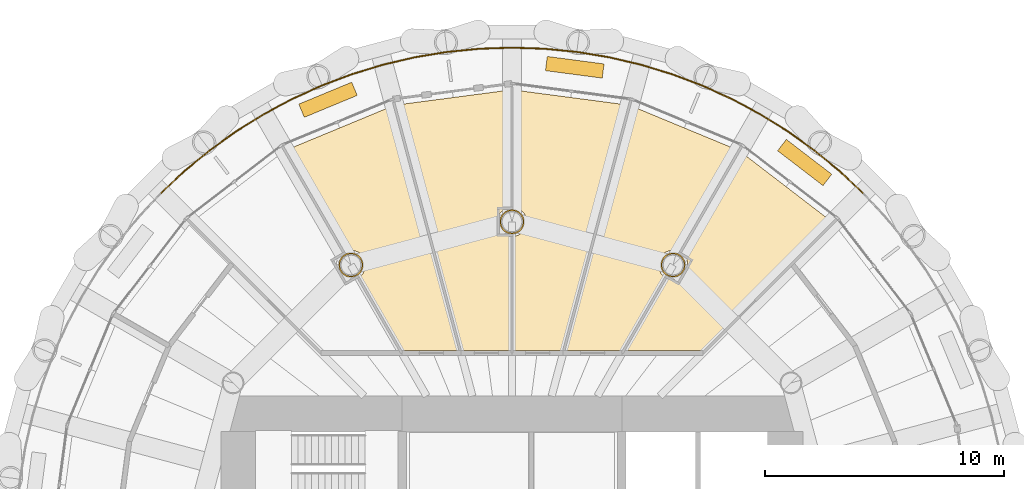
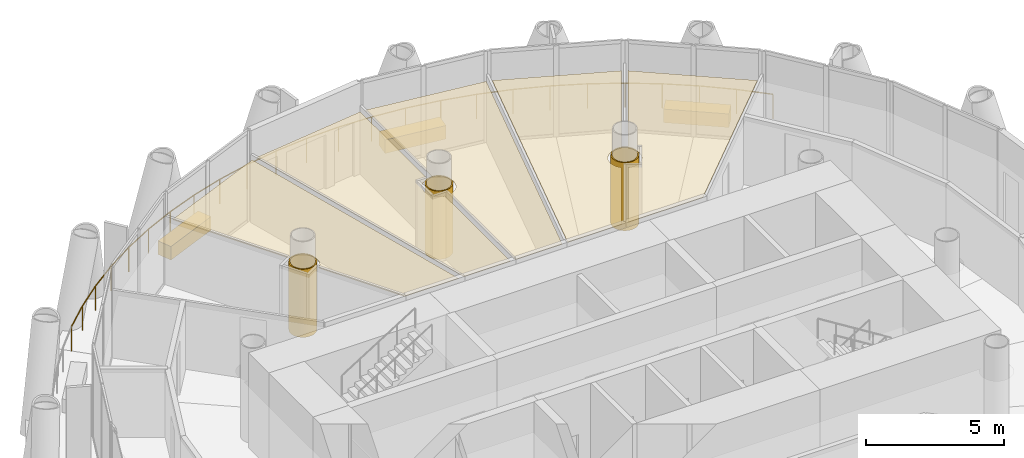
# One storey, part 15 of 15: 11 coverings, 1 railing.
"""IFC4 building model written with IfcOpenShell, lengths in metres."""

from ifc_helpers import new_model, si_unit, direction, frame, origin, origin_2d, place, context, subcontext, project, spatial, polyline, rectangle, circle, outline, extrude, material, layer, layer_set, type_object, element, save


model = new_model("IFC4")

# Units and contexts
model_context = context("Model", 3, precision=1e-05, world=origin(), true_north=direction((0.0, 1.0)))
body_context = subcontext(model_context, "Body", "Model", "MODEL_VIEW")
ifc_project = project(units=[si_unit("LENGTHUNIT", "METRE"), si_unit("AREAUNIT", "SQUARE_METRE"), si_unit("VOLUMEUNIT", "CUBIC_METRE"), si_unit("PLANEANGLEUNIT", "RADIAN"), si_unit("MASSUNIT", "GRAM", prefix="KILO")], contexts=[model_context])

# Site, building, storey
site_placement = place(None, origin())
site = spatial("IfcSite", under=ifc_project, at=site_placement, CompositionType="ELEMENT")
building_placement = place(site_placement, origin())
building = spatial("IfcBuilding", under=site, at=building_placement, Name="Qaws Media Tower", CompositionType="ELEMENT")
storey_placement = place(building_placement, frame((0.0, 0.0, 265.39990234375)))
storey = spatial("IfcBuildingStorey", under=building, at=storey_placement, Name="L61", CompositionType="ELEMENT", Elevation=265.39990234375)

# Railing
ifc_material_1 = material(Name="Stainless steel and glass guard", Category="steel")
railing_type = type_object("IfcRailingType", Name="Balcony guard 1100", PredefinedType="GUARDRAIL", material=ifc_material_1)
railing_placement = place(storey_placement, frame((74.707763671875, 64.707763671875, 0.0)))
element("IfcRailing", 1, at=railing_placement, inside=storey, type_object=railing_type, Name="GR1 balcony guard L61-1", PredefinedType="GUARDRAIL", context=body_context, shape_type="SweptSolid", body=[
    extrude(circle(Radius=0.02392578125, at=origin_2d()), frame((0.0, 0.0, 1.076171875), z_axis=(-0.72986714989, 0.683589016523, 0.0), x_axis=(-0.683589016523, -0.72986714989, 0.0)), (0.0, 0.0, 1.0), 1.361083984375),
    extrude(circle(Radius=0.02392578125, at=origin_2d()), frame((-0.993408203125, 0.930419921875, 1.076171875), z_axis=(-0.772949304948, 0.634467786401, 0.0), x_axis=(-0.634467786401, -0.772949304948, 0.0)), (0.0, 0.0, 1.0), 1.361083984375),
    extrude(circle(Radius=0.02392578125, at=origin_2d()), frame((-2.04541015625, 1.7939453125, 1.076171875), z_axis=(-0.812811466296, 0.582526840805, 0.0), x_axis=(-0.582526840805, -0.812811466296, 0.0)), (0.0, 0.0, 1.0), 1.361328125),
    extrude(circle(Radius=0.02392578125, at=origin_2d()), frame((-3.15185546875, 2.5869140625, 1.076171875), z_axis=(-0.849235333278, 0.528014534566, 0.0), x_axis=(-0.528014534566, -0.849235333278, 0.0)), (0.0, 0.0, 1.0), 1.361328125),
    extrude(circle(Radius=0.02392578125, at=origin_2d()), frame((-4.307861328125, 3.3056640625, 1.076171875), z_axis=(-0.881895663079, 0.471444630304, 0.0), x_axis=(-0.471444630304, -0.881895663079, 0.0)), (0.0, 0.0, 1.0), 1.36083984375),
    extrude(circle(Radius=0.02392578125, at=origin_2d()), frame((-5.508056640625, 3.947265625, 1.076171875), z_axis=(-0.910881687329, 0.41266760436, 0.0), x_axis=(-0.41266760436, -0.910881687329, 0.0)), (0.0, 0.0, 1.0), 1.361328125),
    extrude(circle(Radius=0.02392578125, at=origin_2d()), frame((-6.748046875, 4.509033203125, 1.076171875), z_axis=(-0.935937846462, 0.352165227641, 0.0), x_axis=(-0.352165227641, -0.935937846462, 0.0)), (0.0, 0.0, 1.0), 1.36083984375),
    extrude(circle(Radius=0.02392578125, at=origin_2d()), frame((-8.021728515625, 4.98828125, 1.076171875), z_axis=(-0.956908170849, 0.290390689523, 0.0), x_axis=(-0.290390689523, -0.956908170849, 0.0)), (0.0, 0.0, 1.0), 1.361083984375),
    extrude(circle(Radius=0.02392578125, at=origin_2d()), frame((-9.32421875, 5.383544921875, 1.076171875), z_axis=(-0.973880882877, 0.227059520759, 0.0), x_axis=(-0.227059520759, -0.973880882877, 0.0)), (0.0, 0.0, 1.0), 1.361328125),
    extrude(circle(Radius=0.02392578125, at=origin_2d()), frame((-10.64990234375, 5.692626953125, 1.076171875), z_axis=(-0.986649637864, 0.162857275255, 0.0), x_axis=(-0.162857275255, -0.986649637864, 0.0)), (0.0, 0.0, 1.0), 1.361083984375),
    extrude(circle(Radius=0.02392578125, at=origin_2d()), frame((-11.992919921875, 5.914306640625, 1.076171875), z_axis=(-0.995192253017, 0.09794069397, 0.0), x_axis=(-0.09794069397, -0.995192253017, 0.0)), (0.0, 0.0, 1.0), 1.361083984375),
    extrude(circle(Radius=0.02392578125, at=origin_2d()), frame((-13.347412109375, 6.047607421875, 1.076171875), z_axis=(-0.999461111639, 0.032825086761, 0.0), x_axis=(-0.032825086761, -0.999461111639, 0.0)), (0.0, 0.0, 1.0), 1.361083984375),
    extrude(circle(Radius=0.02392578125, at=origin_2d()), frame((-14.707763671875, 6.09228515625, 1.076171875), z_axis=(-0.999461111639, -0.032825086761, 0.0), x_axis=(0.032825086761, -0.999461111639, 0.0)), (0.0, 0.0, 1.0), 1.361083984375),
    extrude(circle(Radius=0.02392578125, at=origin_2d()), frame((-16.068115234375, 6.047607421875, 1.076171875), z_axis=(-0.995192253017, -0.09794069397, 0.0), x_axis=(0.09794069397, -0.995192253017, 0.0)), (0.0, 0.0, 1.0), 1.361083984375),
    extrude(circle(Radius=0.02392578125, at=origin_2d()), frame((-17.422607421875, 5.914306640625, 1.076171875), z_axis=(-0.986649637864, -0.162857275255, 0.0), x_axis=(0.162857275255, -0.986649637864, 0.0)), (0.0, 0.0, 1.0), 1.361083984375),
    extrude(circle(Radius=0.02392578125, at=origin_2d()), frame((-18.765625, 5.692626953125, 1.076171875), z_axis=(-0.973880882877, -0.227059520759, 0.0), x_axis=(0.227059520759, -0.973880882877, 0.0)), (0.0, 0.0, 1.0), 1.361328125),
    extrude(circle(Radius=0.02392578125, at=origin_2d()), frame((-20.09130859375, 5.383544921875, 1.076171875), z_axis=(-0.956908170849, -0.290390689523, 0.0), x_axis=(0.290390689523, -0.956908170849, 0.0)), (0.0, 0.0, 1.0), 1.361083984375),
    extrude(circle(Radius=0.02392578125, at=origin_2d()), frame((-21.393798828125, 4.98828125, 1.076171875), z_axis=(-0.935937846462, -0.352165227641, 0.0), x_axis=(0.352165227641, -0.935937846462, 0.0)), (0.0, 0.0, 1.0), 1.36083984375),
    extrude(circle(Radius=0.02392578125, at=origin_2d()), frame((-22.66748046875, 4.509033203125, 1.076171875), z_axis=(-0.910881687329, -0.41266760436, 0.0), x_axis=(0.41266760436, -0.910881687329, 0.0)), (0.0, 0.0, 1.0), 1.361328125),
    extrude(circle(Radius=0.02392578125, at=origin_2d()), frame((-23.907470703125, 3.947265625, 1.076171875), z_axis=(-0.881895663079, -0.471444630304, 0.0), x_axis=(0.471444630304, -0.881895663079, 0.0)), (0.0, 0.0, 1.0), 1.36083984375),
    extrude(circle(Radius=0.02392578125, at=origin_2d()), frame((-25.107666015625, 3.3056640625, 1.076171875), z_axis=(-0.849235333278, -0.528014534566, 0.0), x_axis=(0.528014534566, -0.849235333278, 0.0)), (0.0, 0.0, 1.0), 1.361328125),
    extrude(circle(Radius=0.02392578125, at=origin_2d()), frame((-26.263671875, 2.5869140625, 1.076171875), z_axis=(-0.812811466296, -0.582526840805, 0.0), x_axis=(0.582526840805, -0.812811466296, 0.0)), (0.0, 0.0, 1.0), 1.361328125),
    extrude(circle(Radius=0.02392578125, at=origin_2d()), frame((-27.3701171875, 1.7939453125, 1.076171875), z_axis=(-0.772949304948, -0.634467786401, 0.0), x_axis=(0.634467786401, -0.772949304948, 0.0)), (0.0, 0.0, 1.0), 1.361083984375),
    extrude(circle(Radius=0.02392578125, at=origin_2d()), frame((-28.422119140625, 0.930419921875, 1.076171875), z_axis=(-0.72986714989, -0.683589016523, 0.0), x_axis=(0.683589016523, -0.72986714989, 0.0)), (0.0, 0.0, 1.0), 1.361083984375),
    extrude(circle(Radius=0.02099609375, at=origin_2d()), origin(), (0.0, 0.0, 1.0), 1.052001953125),
    extrude(circle(Radius=0.02099609375, at=origin_2d()), frame((-0.993408203125, 0.930419921875, 0.0)), (0.0, 0.0, 1.0), 1.052001953125),
    extrude(circle(Radius=0.02099609375, at=origin_2d()), frame((-2.04541015625, 1.7939453125, 0.0)), (0.0, 0.0, 1.0), 1.052001953125),
    extrude(circle(Radius=0.02099609375, at=origin_2d()), frame((-3.15185546875, 2.5869140625, 0.0)), (0.0, 0.0, 1.0), 1.052001953125),
    extrude(circle(Radius=0.02099609375, at=origin_2d()), frame((-4.307861328125, 3.3056640625, 0.0)), (0.0, 0.0, 1.0), 1.052001953125),
    extrude(circle(Radius=0.02099609375, at=origin_2d()), frame((-5.508056640625, 3.947265625, 0.0)), (0.0, 0.0, 1.0), 1.052001953125),
    extrude(circle(Radius=0.02099609375, at=origin_2d()), frame((-6.748046875, 4.509033203125, 0.0)), (0.0, 0.0, 1.0), 1.052001953125),
    extrude(circle(Radius=0.02099609375, at=origin_2d()), frame((-8.021728515625, 4.98828125, 0.0)), (0.0, 0.0, 1.0), 1.052001953125),
    extrude(circle(Radius=0.02099609375, at=origin_2d()), frame((-9.32421875, 5.383544921875, 0.0)), (0.0, 0.0, 1.0), 1.052001953125),
    extrude(circle(Radius=0.02099609375, at=origin_2d()), frame((-10.64990234375, 5.692626953125, 0.0)), (0.0, 0.0, 1.0), 1.052001953125),
    extrude(circle(Radius=0.02099609375, at=origin_2d()), frame((-11.992919921875, 5.914306640625, 0.0)), (0.0, 0.0, 1.0), 1.052001953125),
    extrude(circle(Radius=0.02099609375, at=origin_2d()), frame((-13.347412109375, 6.047607421875, 0.0)), (0.0, 0.0, 1.0), 1.052001953125),
    extrude(circle(Radius=0.02099609375, at=origin_2d()), frame((-14.707763671875, 6.09228515625, 0.0)), (0.0, 0.0, 1.0), 1.052001953125),
    extrude(circle(Radius=0.02099609375, at=origin_2d()), frame((-16.068115234375, 6.047607421875, 0.0)), (0.0, 0.0, 1.0), 1.052001953125),
    extrude(circle(Radius=0.02099609375, at=origin_2d()), frame((-17.422607421875, 5.914306640625, 0.0)), (0.0, 0.0, 1.0), 1.052001953125),
    extrude(circle(Radius=0.02099609375, at=origin_2d()), frame((-18.765625, 5.692626953125, 0.0)), (0.0, 0.0, 1.0), 1.052001953125),
    extrude(circle(Radius=0.02099609375, at=origin_2d()), frame((-20.09130859375, 5.383544921875, 0.0)), (0.0, 0.0, 1.0), 1.052001953125),
    extrude(circle(Radius=0.02099609375, at=origin_2d()), frame((-21.393798828125, 4.98828125, 0.0)), (0.0, 0.0, 1.0), 1.052001953125),
    extrude(circle(Radius=0.02099609375, at=origin_2d()), frame((-22.66748046875, 4.509033203125, 0.0)), (0.0, 0.0, 1.0), 1.052001953125),
    extrude(circle(Radius=0.02099609375, at=origin_2d()), frame((-23.907470703125, 3.947265625, 0.0)), (0.0, 0.0, 1.0), 1.052001953125),
    extrude(circle(Radius=0.02099609375, at=origin_2d()), frame((-25.107666015625, 3.3056640625, 0.0)), (0.0, 0.0, 1.0), 1.052001953125),
    extrude(circle(Radius=0.02099609375, at=origin_2d()), frame((-26.263671875, 2.5869140625, 0.0)), (0.0, 0.0, 1.0), 1.052001953125),
    extrude(circle(Radius=0.02099609375, at=origin_2d()), frame((-27.3701171875, 1.7939453125, 0.0)), (0.0, 0.0, 1.0), 1.052001953125),
    extrude(circle(Radius=0.02099609375, at=origin_2d()), frame((-28.422119140625, 0.930419921875, 0.0)), (0.0, 0.0, 1.0), 1.052001953125),
    extrude(circle(Radius=0.02099609375, at=origin_2d()), frame((-29.41552734375, 0.0, 0.0)), (0.0, 0.0, 1.0), 1.052001953125),
])

# Coverings
ifc_material_2 = material(Name="Two layers 15 fire-rated gypsum board on steel framing", Category="steel")
ifc_layer_1 = layer(ifc_material_2, 0.050048828125)
ifc_layer_set_1 = layer_set([ifc_layer_1], Name="Column fire casing")
covering_type_1 = type_object("IfcCoveringType", Name="Column fire casing", PredefinedType="CLADDING", material=ifc_layer_set_1)
covering_1_placement = place(storey_placement, origin())
element("IfcCovering", 2, at=covering_1_placement, inside=storey, type_object=covering_type_1, Name="CC1 column casing L61", PredefinedType="CLADDING", context=body_context, shape_type="SweptSolid", body=[
    extrude(outline(polyline([(67.261962890625, 61.69140625), (67.257568359375, 61.62451171875), (67.24462890625, 61.558837890625), (67.222900390625, 61.495361328125), (67.193359375, 61.435302734375), (67.15625, 61.379638671875), (67.112060546875, 61.329345703125), (67.061767578125, 61.28515625), (67.006103515625, 61.247802734375), (66.94580078125, 61.21826171875), (66.882568359375, 61.19677734375), (66.81689453125, 61.18359375), (66.75, 61.17919921875), (66.68310546875, 61.18359375), (66.617431640625, 61.19677734375), (66.55419921875, 61.21826171875), (66.493896484375, 61.247802734375), (66.438232421875, 61.28515625), (66.387939453125, 61.329345703125), (66.34375, 61.379638671875), (66.306640625, 61.435302734375), (66.277099609375, 61.495361328125), (66.25537109375, 61.558837890625), (66.242431640625, 61.62451171875), (66.238037109375, 61.69140625), (66.242431640625, 61.75830078125), (66.25537109375, 61.823974609375), (66.277099609375, 61.88720703125), (66.306640625, 61.947265625), (66.34375, 62.0029296875), (66.387939453125, 62.053466796875), (66.438232421875, 62.097412109375), (66.493896484375, 62.134765625), (66.55419921875, 62.164306640625), (66.617431640625, 62.185791015625), (66.68310546875, 62.198974609375), (66.75, 62.203369140625), (66.81689453125, 62.198974609375), (66.882568359375, 62.185791015625), (66.94580078125, 62.164306640625), (67.006103515625, 62.134765625), (67.061767578125, 62.097412109375), (67.112060546875, 62.053466796875), (67.15625, 62.0029296875), (67.193359375, 61.947265625), (67.222900390625, 61.88720703125), (67.24462890625, 61.823974609375), (67.257568359375, 61.75830078125), (67.261962890625, 61.69140625)]), holes=[polyline([(67.2099609375, 61.69140625), (67.2060546875, 61.63134765625), (67.1943359375, 61.572265625), (67.175048828125, 61.515380859375), (67.1484375, 61.461181640625), (67.114990234375, 61.411376953125), (67.0751953125, 61.3662109375), (67.030029296875, 61.326416015625), (66.97998046875, 61.29296875), (66.926025390625, 61.266357421875), (66.869140625, 61.2470703125), (66.81005859375, 61.2353515625), (66.75, 61.231201171875), (66.68994140625, 61.2353515625), (66.630859375, 61.2470703125), (66.573974609375, 61.266357421875), (66.52001953125, 61.29296875), (66.469970703125, 61.326416015625), (66.4248046875, 61.3662109375), (66.385009765625, 61.411376953125), (66.3515625, 61.461181640625), (66.324951171875, 61.515380859375), (66.3056640625, 61.572265625), (66.2939453125, 61.63134765625), (66.2900390625, 61.69140625), (66.2939453125, 61.75146484375), (66.3056640625, 61.810302734375), (66.324951171875, 61.867431640625), (66.3515625, 61.92138671875), (66.385009765625, 61.971435546875), (66.4248046875, 62.0166015625), (66.469970703125, 62.056396484375), (66.52001953125, 62.089599609375), (66.573974609375, 62.1162109375), (66.630859375, 62.1357421875), (66.68994140625, 62.1474609375), (66.75, 62.1513671875), (66.81005859375, 62.1474609375), (66.869140625, 62.1357421875), (66.926025390625, 62.1162109375), (66.97998046875, 62.089599609375), (67.030029296875, 62.056396484375), (67.0751953125, 62.0166015625), (67.114990234375, 61.971435546875), (67.1484375, 61.92138671875), (67.175048828125, 61.867431640625), (67.1943359375, 61.810302734375), (67.2060546875, 61.75146484375), (67.2099609375, 61.69140625)])]), origin(), (0.0, 0.0, 1.0), 3.02001953125),
])
covering_2_placement = place(storey_placement, origin())
element("IfcCovering", 3, at=covering_2_placement, inside=storey, type_object=covering_type_1, Name="CC1 column casing L61", PredefinedType="CLADDING", context=body_context, shape_type="SweptSolid", body=[
    extrude(outline(polyline([(60.511962890625, 63.5), (60.507568359375, 63.43310546875), (60.49462890625, 63.367431640625), (60.472900390625, 63.30419921875), (60.443359375, 63.243896484375), (60.40625, 63.188232421875), (60.362060546875, 63.137939453125), (60.311767578125, 63.09375), (60.256103515625, 63.056640625), (60.19580078125, 63.027099609375), (60.132568359375, 63.00537109375), (60.06689453125, 62.992431640625), (60.0, 62.988037109375), (59.93310546875, 62.992431640625), (59.867431640625, 63.00537109375), (59.80419921875, 63.027099609375), (59.743896484375, 63.056640625), (59.688232421875, 63.09375), (59.637939453125, 63.137939453125), (59.59375, 63.188232421875), (59.556640625, 63.243896484375), (59.527099609375, 63.30419921875), (59.50537109375, 63.367431640625), (59.492431640625, 63.43310546875), (59.488037109375, 63.5), (59.492431640625, 63.56689453125), (59.50537109375, 63.632568359375), (59.527099609375, 63.69580078125), (59.556640625, 63.756103515625), (59.59375, 63.811767578125), (59.637939453125, 63.862060546875), (59.688232421875, 63.90625), (59.743896484375, 63.943359375), (59.80419921875, 63.972900390625), (59.867431640625, 63.99462890625), (59.93310546875, 64.007568359375), (60.0, 64.011962890625), (60.06689453125, 64.007568359375), (60.132568359375, 63.99462890625), (60.19580078125, 63.972900390625), (60.256103515625, 63.943359375), (60.311767578125, 63.90625), (60.362060546875, 63.862060546875), (60.40625, 63.811767578125), (60.443359375, 63.756103515625), (60.472900390625, 63.69580078125), (60.49462890625, 63.632568359375), (60.507568359375, 63.56689453125), (60.511962890625, 63.5)]), holes=[polyline([(60.4599609375, 63.5), (60.4560546875, 63.43994140625), (60.4443359375, 63.380859375), (60.425048828125, 63.323974609375), (60.3984375, 63.27001953125), (60.364990234375, 63.219970703125), (60.3251953125, 63.1748046875), (60.280029296875, 63.135009765625), (60.22998046875, 63.1015625), (60.176025390625, 63.074951171875), (60.119140625, 63.0556640625), (60.06005859375, 63.0439453125), (60.0, 63.0400390625), (59.93994140625, 63.0439453125), (59.880859375, 63.0556640625), (59.823974609375, 63.074951171875), (59.77001953125, 63.1015625), (59.719970703125, 63.135009765625), (59.6748046875, 63.1748046875), (59.635009765625, 63.219970703125), (59.6015625, 63.27001953125), (59.574951171875, 63.323974609375), (59.5556640625, 63.380859375), (59.5439453125, 63.43994140625), (59.5400390625, 63.5), (59.5439453125, 63.56005859375), (59.5556640625, 63.619140625), (59.574951171875, 63.676025390625), (59.6015625, 63.72998046875), (59.635009765625, 63.780029296875), (59.6748046875, 63.8251953125), (59.719970703125, 63.864990234375), (59.77001953125, 63.8984375), (59.823974609375, 63.925048828125), (59.880859375, 63.9443359375), (59.93994140625, 63.9560546875), (60.0, 63.9599609375), (60.06005859375, 63.9560546875), (60.119140625, 63.9443359375), (60.176025390625, 63.925048828125), (60.22998046875, 63.8984375), (60.280029296875, 63.864990234375), (60.3251953125, 63.8251953125), (60.364990234375, 63.780029296875), (60.3984375, 63.72998046875), (60.425048828125, 63.676025390625), (60.4443359375, 63.619140625), (60.4560546875, 63.56005859375), (60.4599609375, 63.5)])]), origin(), (0.0, 0.0, 1.0), 3.02001953125),
])
covering_3_placement = place(storey_placement, origin())
element("IfcCovering", 4, at=covering_3_placement, inside=storey, type_object=covering_type_1, Name="CC1 column casing L61", PredefinedType="CLADDING", context=body_context, shape_type="SweptSolid", body=[
    extrude(outline(polyline([(53.761962890625, 61.69140625), (53.757568359375, 61.62451171875), (53.74462890625, 61.558837890625), (53.722900390625, 61.495361328125), (53.693359375, 61.435302734375), (53.65625, 61.379638671875), (53.612060546875, 61.329345703125), (53.561767578125, 61.28515625), (53.506103515625, 61.247802734375), (53.44580078125, 61.21826171875), (53.382568359375, 61.19677734375), (53.31689453125, 61.18359375), (53.25, 61.17919921875), (53.18310546875, 61.18359375), (53.117431640625, 61.19677734375), (53.05419921875, 61.21826171875), (52.993896484375, 61.247802734375), (52.938232421875, 61.28515625), (52.887939453125, 61.329345703125), (52.84375, 61.379638671875), (52.806640625, 61.435302734375), (52.777099609375, 61.495361328125), (52.75537109375, 61.558837890625), (52.742431640625, 61.62451171875), (52.738037109375, 61.69140625), (52.742431640625, 61.75830078125), (52.75537109375, 61.823974609375), (52.777099609375, 61.88720703125), (52.806640625, 61.947265625), (52.84375, 62.0029296875), (52.887939453125, 62.053466796875), (52.938232421875, 62.097412109375), (52.993896484375, 62.134765625), (53.05419921875, 62.164306640625), (53.117431640625, 62.185791015625), (53.18310546875, 62.198974609375), (53.25, 62.203369140625), (53.31689453125, 62.198974609375), (53.382568359375, 62.185791015625), (53.44580078125, 62.164306640625), (53.506103515625, 62.134765625), (53.561767578125, 62.097412109375), (53.612060546875, 62.053466796875), (53.65625, 62.0029296875), (53.693359375, 61.947265625), (53.722900390625, 61.88720703125), (53.74462890625, 61.823974609375), (53.757568359375, 61.75830078125), (53.761962890625, 61.69140625)]), holes=[polyline([(53.7099609375, 61.69140625), (53.7060546875, 61.63134765625), (53.6943359375, 61.572265625), (53.675048828125, 61.515380859375), (53.6484375, 61.461181640625), (53.614990234375, 61.411376953125), (53.5751953125, 61.3662109375), (53.530029296875, 61.326416015625), (53.47998046875, 61.29296875), (53.426025390625, 61.266357421875), (53.369140625, 61.2470703125), (53.31005859375, 61.2353515625), (53.25, 61.231201171875), (53.18994140625, 61.2353515625), (53.130859375, 61.2470703125), (53.073974609375, 61.266357421875), (53.02001953125, 61.29296875), (52.969970703125, 61.326416015625), (52.9248046875, 61.3662109375), (52.885009765625, 61.411376953125), (52.8515625, 61.461181640625), (52.824951171875, 61.515380859375), (52.8056640625, 61.572265625), (52.7939453125, 61.63134765625), (52.7900390625, 61.69140625), (52.7939453125, 61.75146484375), (52.8056640625, 61.810302734375), (52.824951171875, 61.867431640625), (52.8515625, 61.92138671875), (52.885009765625, 61.971435546875), (52.9248046875, 62.0166015625), (52.969970703125, 62.056396484375), (53.02001953125, 62.089599609375), (53.073974609375, 62.1162109375), (53.130859375, 62.1357421875), (53.18994140625, 62.1474609375), (53.25, 62.1513671875), (53.31005859375, 62.1474609375), (53.369140625, 62.1357421875), (53.426025390625, 62.1162109375), (53.47998046875, 62.089599609375), (53.530029296875, 62.056396484375), (53.5751953125, 62.0166015625), (53.614990234375, 61.971435546875), (53.6484375, 61.92138671875), (53.675048828125, 61.867431640625), (53.6943359375, 61.810302734375), (53.7060546875, 61.75146484375), (53.7099609375, 61.69140625)])]), origin(), (0.0, 0.0, 1.0), 3.02001953125),
])
ifc_material_3 = material(Name="Precast concrete planter with trailing planting", Category="concrete")
ifc_layer_2 = layer(ifc_material_3, 0.60009765625)
ifc_layer_set_2 = layer_set([ifc_layer_2], Name="Planter 2400x600")
covering_type_2 = type_object("IfcCoveringType", Name="Planter 2400x600", PredefinedType="USERDEFINED", material=ifc_layer_set_2)
for number, where, z_axis, x_axis, name in (
    (5, (72.2666015625, 65.986083984375, 0.0), (0.0, 0.0, 1.0), (-0.793353340291, 0.608761429009, 0.0), "PL1 balcony planter L61-02"),
    (6, (62.630126953125, 69.9775390625, 0.0), (0.0, 0.0, 1.0), (-0.991444861374, 0.13052619222, 0.0), "PL1 balcony planter L61-03"),
    (7, (52.288818359375, 68.6162109375, 0.0), (0.0, 0.0, 1.0), (-0.923879532511, -0.382683432365, 0.0), "PL1 balcony planter L61-04"),
):
    element("IfcCovering", number, at=place(storey_placement, frame(where, z_axis=z_axis, x_axis=x_axis)), inside=storey, type_object=covering_type_2, Name=name, ObjectType="PLANTER", PredefinedType="USERDEFINED", context=body_context, shape_type="SweptSolid", body=[
        extrude(rectangle(XDim=2.39990234375, YDim=0.60009765625, at=origin_2d()), origin(), (0.0, 0.0, 1.0), 0.60009765625),
    ])
ifc_material_4 = material(Name="Two layers 12.5 moisture-resistant plasterboard on suspended metal furring", Category="gypsum")
ifc_layer_3 = layer(ifc_material_4, 0.02490234375)
ifc_layer_set_3 = layer_set([ifc_layer_3], Name="Plasterboard ceiling 25")
covering_type_3 = type_object("IfcCoveringType", Name="Plasterboard ceiling 25", PredefinedType="CEILING", material=ifc_layer_set_3)
covering_4_placement = place(storey_placement, frame((0.0, 0.0, 2.85009765625)))
element("IfcCovering", 8, at=covering_4_placement, inside=storey, type_object=covering_type_3, Name="CL2 ceiling L61-03 PA office", PredefinedType="CEILING", context=body_context, shape_type="SweptSolid", body=[
    extrude(outline(polyline([(73.369873046875, 63.529052734375), (67.953369140625, 58.112548828125), (64.813720703125, 58.112548828125), (66.544921875, 61.11083984375), (66.59033203125, 61.095458984375), (66.66943359375, 61.07958984375), (66.75, 61.07421875), (66.83056640625, 61.07958984375), (66.90966796875, 61.095458984375), (66.986083984375, 61.121337890625), (67.05859375, 61.156982421875), (67.12548828125, 61.201904296875), (67.186279296875, 61.255126953125), (67.239501953125, 61.315673828125), (67.2841796875, 61.3828125), (67.320068359375, 61.455078125), (67.345947265625, 61.53173828125), (67.36181640625, 61.61083984375), (67.366943359375, 61.69140625), (67.36181640625, 61.77197265625), (67.345947265625, 61.85107421875), (67.320068359375, 61.927490234375), (67.2841796875, 61.999755859375), (67.239501953125, 62.06689453125), (67.186279296875, 62.127685546875), (67.150146484375, 62.1591796875), (69.607666015625, 66.416015625), (73.369873046875, 63.529052734375)])), origin(), (0.0, 0.0, 1.0), 0.02490234375),
])
covering_5_placement = place(storey_placement, frame((0.0, 0.0, 2.85009765625)))
element("IfcCovering", 9, at=covering_5_placement, inside=storey, type_object=covering_type_3, Name="CL2 ceiling L61-04 Executive office", PredefinedType="CEILING", context=body_context, shape_type="SweptSolid", body=[
    extrude(outline(polyline([(69.412841796875, 66.5283203125), (66.955322265625, 62.271728515625), (66.90966796875, 62.287353515625), (66.83056640625, 62.302978515625), (66.75, 62.308349609375), (66.66943359375, 62.302978515625), (66.59033203125, 62.287353515625), (66.513916015625, 62.261474609375), (66.44140625, 62.2255859375), (66.37451171875, 62.180908203125), (66.313720703125, 62.127685546875), (66.260498046875, 62.06689453125), (66.2158203125, 61.999755859375), (66.179931640625, 61.927490234375), (66.154052734375, 61.85107421875), (66.13818359375, 61.77197265625), (66.133056640625, 61.69140625), (66.13818359375, 61.61083984375), (66.154052734375, 61.53173828125), (66.179931640625, 61.455078125), (66.2158203125, 61.3828125), (66.260498046875, 61.315673828125), (66.313720703125, 61.255126953125), (66.349853515625, 61.223388671875), (64.553955078125, 58.112548828125), (62.290283203125, 58.112548828125), (65.031494140625, 68.34326171875), (69.412841796875, 66.5283203125)])), origin(), (0.0, 0.0, 1.0), 0.02490234375),
])
covering_6_placement = place(storey_placement, frame((0.0, 0.0, 2.85009765625)))
element("IfcCovering", 10, at=covering_6_placement, inside=storey, type_object=covering_type_3, Name="CL2 ceiling L61-05 Executive office", PredefinedType="CEILING", context=body_context, shape_type="SweptSolid", body=[
    extrude(outline(polyline([(64.814208984375, 68.4013671875), (62.057373046875, 58.112548828125), (60.112548828125, 58.112548828125), (60.112548828125, 62.89453125), (60.15966796875, 62.904052734375), (60.236083984375, 62.929931640625), (60.30859375, 62.9658203125), (60.37548828125, 63.010498046875), (60.436279296875, 63.063720703125), (60.489501953125, 63.12451171875), (60.5341796875, 63.19140625), (60.570068359375, 63.263916015625), (60.595947265625, 63.34033203125), (60.61181640625, 63.41943359375), (60.616943359375, 63.5), (60.61181640625, 63.58056640625), (60.595947265625, 63.65966796875), (60.570068359375, 63.736083984375), (60.5341796875, 63.80859375), (60.489501953125, 63.87548828125), (60.436279296875, 63.936279296875), (60.37548828125, 63.989501953125), (60.30859375, 64.0341796875), (60.236083984375, 64.070068359375), (60.15966796875, 64.095947265625), (60.112548828125, 64.10546875), (60.112548828125, 69.0205078125), (64.814208984375, 68.4013671875)])), origin(), (0.0, 0.0, 1.0), 0.02490234375),
])
covering_7_placement = place(storey_placement, frame((0.0, 0.0, 2.85009765625)))
element("IfcCovering", 11, at=covering_7_placement, inside=storey, type_object=covering_type_3, Name="CL2 ceiling L61-06 Executive office", PredefinedType="CEILING", context=body_context, shape_type="SweptSolid", body=[
    extrude(outline(polyline([(59.887451171875, 69.0205078125), (59.887451171875, 64.10546875), (59.84033203125, 64.095947265625), (59.763916015625, 64.070068359375), (59.69140625, 64.0341796875), (59.62451171875, 63.989501953125), (59.563720703125, 63.936279296875), (59.510498046875, 63.87548828125), (59.4658203125, 63.80859375), (59.429931640625, 63.736083984375), (59.404052734375, 63.65966796875), (59.38818359375, 63.58056640625), (59.383056640625, 63.5), (59.38818359375, 63.41943359375), (59.404052734375, 63.34033203125), (59.429931640625, 63.263916015625), (59.4658203125, 63.19140625), (59.510498046875, 63.12451171875), (59.563720703125, 63.063720703125), (59.62451171875, 63.010498046875), (59.69140625, 62.9658203125), (59.763916015625, 62.929931640625), (59.84033203125, 62.904052734375), (59.887451171875, 62.89453125), (59.887451171875, 58.112548828125), (57.942626953125, 58.112548828125), (55.185791015625, 68.4013671875), (59.887451171875, 69.0205078125)])), origin(), (0.0, 0.0, 1.0), 0.02490234375),
])
covering_8_placement = place(storey_placement, frame((0.0, 0.0, 2.85009765625)))
element("IfcCovering", 12, at=covering_8_placement, inside=storey, type_object=covering_type_3, Name="CL2 ceiling L61-07 Executive office", PredefinedType="CEILING", context=body_context, shape_type="SweptSolid", body=[
    extrude(outline(polyline([(54.968505859375, 68.34326171875), (57.709716796875, 58.112548828125), (55.446044921875, 58.112548828125), (53.650146484375, 61.223388671875), (53.686279296875, 61.255126953125), (53.739501953125, 61.315673828125), (53.7841796875, 61.3828125), (53.820068359375, 61.455078125), (53.845947265625, 61.53173828125), (53.86181640625, 61.61083984375), (53.866943359375, 61.69140625), (53.86181640625, 61.77197265625), (53.845947265625, 61.85107421875), (53.820068359375, 61.927490234375), (53.7841796875, 61.999755859375), (53.739501953125, 62.06689453125), (53.686279296875, 62.127685546875), (53.62548828125, 62.180908203125), (53.55859375, 62.2255859375), (53.486083984375, 62.261474609375), (53.40966796875, 62.287353515625), (53.33056640625, 62.302978515625), (53.25, 62.308349609375), (53.16943359375, 62.302978515625), (53.09033203125, 62.287353515625), (53.044677734375, 62.271728515625), (50.587158203125, 66.5283203125), (54.968505859375, 68.34326171875)])), origin(), (0.0, 0.0, 1.0), 0.02490234375),
])

save(model, "model.ifc")
